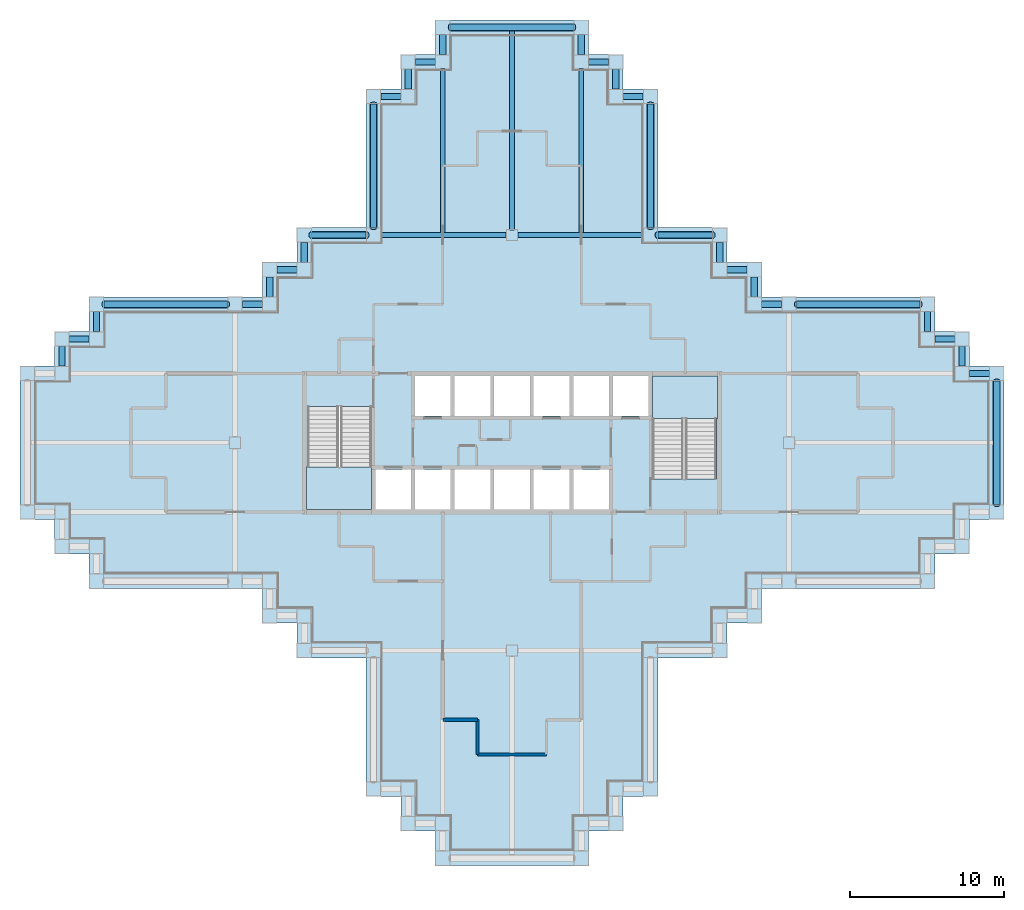
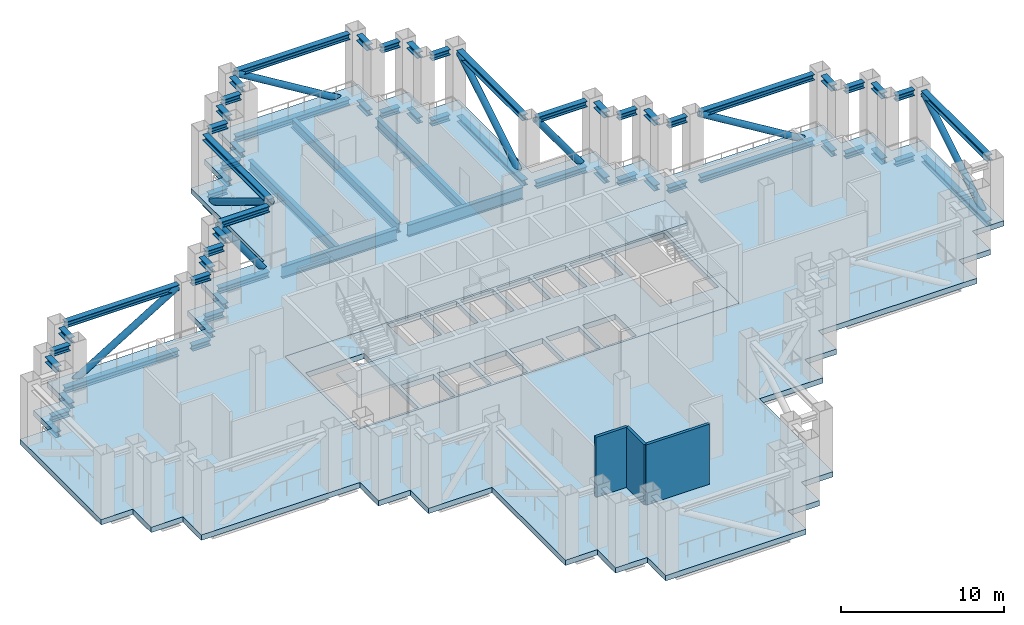
# One storey, part 2 of 10: 67 beams, 8 members, 4 slabs, 3 walls, 2 elements without a shape of their own.
"""IFC4 building model written with IfcOpenShell, lengths in metres."""

from ifc_helpers import new_model, si_unit, direction, frame, frame_2d, origin, origin_2d, place, context, subcontext, project, spatial, polyline, rectangle, hollow_circle, i_section, outline, extrude, material, layer, layer_set, material_profile, profile_set, type_object, element, aggregate, save


model = new_model("IFC4")

# Units and contexts
model_context = context("Model", 3, precision=1e-05, world=origin(), true_north=direction((0.0, 1.0)))
body_context = subcontext(model_context, "Body", "Model", "MODEL_VIEW")
ifc_project = project(units=[si_unit("LENGTHUNIT", "METRE"), si_unit("AREAUNIT", "SQUARE_METRE"), si_unit("VOLUMEUNIT", "CUBIC_METRE"), si_unit("PLANEANGLEUNIT", "RADIAN"), si_unit("MASSUNIT", "GRAM", prefix="KILO")], contexts=[model_context])

# Site, building, storey
site_placement = place(None, origin())
site = spatial("IfcSite", under=ifc_project, at=site_placement, CompositionType="ELEMENT")
building_placement = place(site_placement, origin())
building = spatial("IfcBuilding", under=site, at=building_placement, Name="Caravel Reach Hotel and Residences", CompositionType="ELEMENT")
storey_placement = place(building_placement, frame((0.0, 0.0, 96.0)))
storey = spatial("IfcBuildingStorey", under=building, at=storey_placement, Name="L23", CompositionType="ELEMENT", Elevation=96.0)

# Beams
ifc_material_1 = material(Name="Structural steel Q355B", Category="steel")
ifc_material_profile_1 = material_profile(ifc_material_1, i_section(OverallWidth=0.300048828125, OverallDepth=0.699951171875, WebThickness=0.012939453125, FlangeThickness=0.02392578125, FilletRadius=0.01806640625, at=origin_2d()), Name="HN 700x300x13x24")
ifc_profile_set_1 = profile_set([ifc_material_profile_1], Name="Structural steel Q355B")
beam_type_1 = type_object("IfcBeamType", Name="Beam HN 700x300x13x24", PredefinedType="BEAM", material=ifc_profile_set_1)
beam_1_placement = place(storey_placement, frame((27.0, 40.60009765625, -0.75), z_axis=(0.0, 1.0, 0.0), x_axis=(-1.0, 0.0, 0.0)))
element("IfcBeam", 1, at=beam_1_placement, inside=storey, type_object=beam_type_1, Name="B2 HN 700x300x13x24", PredefinedType="BEAM", context=body_context, shape_type="SweptSolid", body=[
    extrude(i_section(OverallWidth=0.300048828125, OverallDepth=0.699951171875, WebThickness=0.012939453125, FlangeThickness=0.02392578125, FilletRadius=0.01806640625, at=origin_2d()), origin(), (0.0, 0.0, 1.0), 10.724853515625),
])
beam_2_placement = place(storey_placement, frame((31.5, 40.824951171875, -0.75), z_axis=(0.0, 1.0, 0.0), x_axis=(-1.0, 0.0, 0.0)))
element("IfcBeam", 2, at=beam_2_placement, inside=storey, type_object=beam_type_1, Name="B2 HN 700x300x13x24", PredefinedType="BEAM", context=body_context, shape_type="SweptSolid", body=[
    extrude(i_section(OverallWidth=0.300048828125, OverallDepth=0.699951171875, WebThickness=0.012939453125, FlangeThickness=0.02392578125, FilletRadius=0.01806640625, at=origin_2d()), origin(), (0.0, 0.0, 1.0), 13.074951171875),
])
beam_3_placement = place(storey_placement, frame((36.0, 40.60009765625, -0.75), z_axis=(0.0, 1.0, 0.0), x_axis=(-1.0, 0.0, 0.0)))
element("IfcBeam", 3, at=beam_3_placement, inside=storey, type_object=beam_type_1, Name="B2 HN 700x300x13x24", PredefinedType="BEAM", context=body_context, shape_type="SweptSolid", body=[
    extrude(i_section(OverallWidth=0.300048828125, OverallDepth=0.699951171875, WebThickness=0.012939453125, FlangeThickness=0.02392578125, FilletRadius=0.01806640625, at=origin_2d()), origin(), (0.0, 0.0, 1.0), 10.724853515625),
])
ifc_material_2 = material(Name="Structural steel Q355B", Category="steel")
ifc_material_profile_2 = material_profile(ifc_material_2, i_section(OverallWidth=0.300048828125, OverallDepth=0.89990234375, WebThickness=0.01611328125, FlangeThickness=0.028076171875, FilletRadius=0.01806640625, at=origin_2d()), Name="HN 900x300x16x28")
ifc_profile_set_2 = profile_set([ifc_material_profile_2], Name="Structural steel Q355B")
beam_type_2 = type_object("IfcBeamType", Name="Beam HN 900x300x16x28", PredefinedType="BEAM", material=ifc_profile_set_2)
for number, where, z_axis, x_axis, name in (
    (4, (22.97509765625, 40.5, -0.85009765625), (1.0, 0.0, 0.0), (0.0, 1.0, 0.0), "B3 HN 900x300x16x28"),
    (5, (31.875, 40.5, -0.85009765625), (1.0, 0.0, 0.0), (0.0, 1.0, 0.0), "B3 HN 900x300x16x28"),
):
    element("IfcBeam", number, at=place(storey_placement, frame(where, z_axis=z_axis, x_axis=x_axis)), inside=storey, type_object=beam_type_2, Name=name, PredefinedType="BEAM", context=body_context, shape_type="SweptSolid", body=[
        extrude(i_section(OverallWidth=0.300048828125, OverallDepth=0.89990234375, WebThickness=0.01611328125, FlangeThickness=0.028076171875, FilletRadius=0.01806640625, at=origin_2d()), origin(), (0.0, 0.0, 1.0), 8.14990234375),
    ])
ifc_material_3 = material(Name="Structural steel Q355B", Category="steel")
ifc_material_profile_3 = material_profile(ifc_material_3, i_section(OverallWidth=0.406982421875, OverallDepth=0.427978515625, WebThickness=0.02001953125, FlangeThickness=0.034912109375, FilletRadius=0.02197265625, at=origin_2d()), Name="HW 428x407x20x35")
ifc_profile_set_3 = profile_set([ifc_material_profile_3], Name="Structural steel Q355B")
beam_type_3 = type_object("IfcBeamType", Name="Beam HW 428x407x20x35", PredefinedType="BEAM", material=ifc_profile_set_3)
for number, where, z_axis, x_axis, name in (
    (6, (63.0, 22.97509765625, -0.614013671875), (0.0, 1.0, 0.0), (-1.0, 0.0, 0.0), "Belt truss BT-L23 bottom chord"),
    (7, (63.0, 22.97509765625, 4.285888671875), (0.0, 1.0, 0.0), (-1.0, 0.0, 0.0), "Belt truss BT-L23 top chord"),
):
    element("IfcBeam", number, at=place(storey_placement, frame(where, z_axis=z_axis, x_axis=x_axis)), inside=storey, type_object=beam_type_3, Name=name, PredefinedType="BEAM", context=body_context, shape_type="SweptSolid", body=[
        extrude(i_section(OverallWidth=0.406982421875, OverallDepth=0.427978515625, WebThickness=0.02001953125, FlangeThickness=0.034912109375, FilletRadius=0.02197265625, at=origin_2d()), origin(), (0.0, 0.0, 1.0), 8.0498046875),
    ])
for number, where, z_axis, x_axis, name in (
    (8, (62.52490234375, 31.5, -0.614013671875), (-1.0, 0.0, 0.0), (0.0, -1.0, 0.0), "Belt truss BT-L23 bottom chord"),
    (9, (62.52490234375, 31.5, 4.285888671875), (-1.0, 0.0, 0.0), (0.0, -1.0, 0.0), "Belt truss BT-L23 top chord"),
    (10, (60.75, 31.97509765625, -0.614013671875), (0.0, 1.0, 0.0), (-1.0, 0.0, 0.0), "Belt truss BT-L23 bottom chord"),
    (11, (60.75, 31.97509765625, 4.285888671875), (0.0, 1.0, 0.0), (-1.0, 0.0, 0.0), "Belt truss BT-L23 top chord"),
    (12, (60.27490234375, 33.75, -0.614013671875), (-1.0, 0.0, 0.0), (0.0, -1.0, 0.0), "Belt truss BT-L23 bottom chord"),
    (13, (60.27490234375, 33.75, 4.285888671875), (-1.0, 0.0, 0.0), (0.0, -1.0, 0.0), "Belt truss BT-L23 top chord"),
    (14, (58.5, 34.22509765625, -0.614013671875), (0.0, 1.0, 0.0), (-1.0, 0.0, 0.0), "Belt truss BT-L23 bottom chord"),
    (15, (58.5, 34.22509765625, 4.285888671875), (0.0, 1.0, 0.0), (-1.0, 0.0, 0.0), "Belt truss BT-L23 top chord"),
):
    element("IfcBeam", number, at=place(storey_placement, frame(where, z_axis=z_axis, x_axis=x_axis)), inside=storey, type_object=beam_type_3, Name=name, PredefinedType="BEAM", context=body_context, shape_type="SweptSolid", body=[
        extrude(i_section(OverallWidth=0.406982421875, OverallDepth=0.427978515625, WebThickness=0.02001953125, FlangeThickness=0.034912109375, FilletRadius=0.02197265625, at=origin_2d()), origin(), (0.0, 0.0, 1.0), 1.2998046875),
    ])
for number, where, z_axis, x_axis, name in (
    (16, (58.02490234375, 36.0, -0.614013671875), (-1.0, 0.0, 0.0), (0.0, -1.0, 0.0), "Belt truss BT-L23 bottom chord"),
    (17, (58.02490234375, 36.0, 4.285888671875), (-1.0, 0.0, 0.0), (0.0, -1.0, 0.0), "Belt truss BT-L23 top chord"),
):
    element("IfcBeam", number, at=place(storey_placement, frame(where, z_axis=z_axis, x_axis=x_axis)), inside=storey, type_object=beam_type_3, Name=name, PredefinedType="BEAM", context=body_context, shape_type="SweptSolid", body=[
        extrude(i_section(OverallWidth=0.406982421875, OverallDepth=0.427978515625, WebThickness=0.02001953125, FlangeThickness=0.034912109375, FilletRadius=0.02197265625, at=origin_2d()), origin(), (0.0, 0.0, 1.0), 8.0498046875),
    ])
for number, where, z_axis, x_axis, name in (
    (18, (49.02490234375, 36.0, -0.614013671875), (-1.0, 0.0, 0.0), (0.0, -1.0, 0.0), "Belt truss BT-L23 bottom chord"),
    (19, (49.02490234375, 36.0, 4.285888671875), (-1.0, 0.0, 0.0), (0.0, -1.0, 0.0), "Belt truss BT-L23 top chord"),
    (20, (47.25, 36.47509765625, -0.614013671875), (0.0, 1.0, 0.0), (-1.0, 0.0, 0.0), "Belt truss BT-L23 bottom chord"),
    (21, (47.25, 36.47509765625, 4.285888671875), (0.0, 1.0, 0.0), (-1.0, 0.0, 0.0), "Belt truss BT-L23 top chord"),
    (22, (46.77490234375, 38.25, -0.614013671875), (-1.0, 0.0, 0.0), (0.0, -1.0, 0.0), "Belt truss BT-L23 bottom chord"),
    (23, (46.77490234375, 38.25, 4.285888671875), (-1.0, 0.0, 0.0), (0.0, -1.0, 0.0), "Belt truss BT-L23 top chord"),
    (24, (45.0, 38.72509765625, -0.614013671875), (0.0, 1.0, 0.0), (-1.0, 0.0, 0.0), "Belt truss BT-L23 bottom chord"),
    (25, (45.0, 38.72509765625, 4.285888671875), (0.0, 1.0, 0.0), (-1.0, 0.0, 0.0), "Belt truss BT-L23 top chord"),
):
    element("IfcBeam", number, at=place(storey_placement, frame(where, z_axis=z_axis, x_axis=x_axis)), inside=storey, type_object=beam_type_3, Name=name, PredefinedType="BEAM", context=body_context, shape_type="SweptSolid", body=[
        extrude(i_section(OverallWidth=0.406982421875, OverallDepth=0.427978515625, WebThickness=0.02001953125, FlangeThickness=0.034912109375, FilletRadius=0.02197265625, at=origin_2d()), origin(), (0.0, 0.0, 1.0), 1.2998046875),
    ])
for number, where, z_axis, x_axis, name in (
    (26, (44.52490234375, 40.5, -0.614013671875), (-1.0, 0.0, 0.0), (0.0, -1.0, 0.0), "Belt truss BT-L23 bottom chord"),
    (27, (44.52490234375, 40.5, 4.285888671875), (-1.0, 0.0, 0.0), (0.0, -1.0, 0.0), "Belt truss BT-L23 top chord"),
):
    element("IfcBeam", number, at=place(storey_placement, frame(where, z_axis=z_axis, x_axis=x_axis)), inside=storey, type_object=beam_type_3, Name=name, PredefinedType="BEAM", context=body_context, shape_type="SweptSolid", body=[
        extrude(i_section(OverallWidth=0.406982421875, OverallDepth=0.427978515625, WebThickness=0.02001953125, FlangeThickness=0.034912109375, FilletRadius=0.02197265625, at=origin_2d()), origin(), (0.0, 0.0, 1.0), 3.5498046875),
    ])
for number, where, z_axis, x_axis, name in (
    (28, (40.5, 40.97509765625, -0.614013671875), (0.0, 1.0, 0.0), (-1.0, 0.0, 0.0), "Belt truss BT-L23 bottom chord"),
    (29, (40.5, 40.97509765625, 4.285888671875), (0.0, 1.0, 0.0), (-1.0, 0.0, 0.0), "Belt truss BT-L23 top chord"),
):
    element("IfcBeam", number, at=place(storey_placement, frame(where, z_axis=z_axis, x_axis=x_axis)), inside=storey, type_object=beam_type_3, Name=name, PredefinedType="BEAM", context=body_context, shape_type="SweptSolid", body=[
        extrude(i_section(OverallWidth=0.406982421875, OverallDepth=0.427978515625, WebThickness=0.02001953125, FlangeThickness=0.034912109375, FilletRadius=0.02197265625, at=origin_2d()), origin(), (0.0, 0.0, 1.0), 8.0498046875),
    ])
for number, where, z_axis, x_axis, name in (
    (30, (40.02490234375, 49.5, -0.614013671875), (-1.0, 0.0, 0.0), (0.0, -1.0, 0.0), "Belt truss BT-L23 bottom chord"),
    (31, (40.02490234375, 49.5, 4.285888671875), (-1.0, 0.0, 0.0), (0.0, -1.0, 0.0), "Belt truss BT-L23 top chord"),
    (32, (38.25, 49.97509765625, -0.614013671875), (0.0, 1.0, 0.0), (-1.0, 0.0, 0.0), "Belt truss BT-L23 bottom chord"),
    (33, (38.25, 49.97509765625, 4.285888671875), (0.0, 1.0, 0.0), (-1.0, 0.0, 0.0), "Belt truss BT-L23 top chord"),
    (34, (37.77490234375, 51.75, -0.614013671875), (-1.0, 0.0, 0.0), (0.0, -1.0, 0.0), "Belt truss BT-L23 bottom chord"),
    (35, (37.77490234375, 51.75, 4.285888671875), (-1.0, 0.0, 0.0), (0.0, -1.0, 0.0), "Belt truss BT-L23 top chord"),
    (36, (36.0, 52.22509765625, -0.614013671875), (0.0, 1.0, 0.0), (-1.0, 0.0, 0.0), "Belt truss BT-L23 bottom chord"),
    (37, (36.0, 52.22509765625, 4.285888671875), (0.0, 1.0, 0.0), (-1.0, 0.0, 0.0), "Belt truss BT-L23 top chord"),
):
    element("IfcBeam", number, at=place(storey_placement, frame(where, z_axis=z_axis, x_axis=x_axis)), inside=storey, type_object=beam_type_3, Name=name, PredefinedType="BEAM", context=body_context, shape_type="SweptSolid", body=[
        extrude(i_section(OverallWidth=0.406982421875, OverallDepth=0.427978515625, WebThickness=0.02001953125, FlangeThickness=0.034912109375, FilletRadius=0.02197265625, at=origin_2d()), origin(), (0.0, 0.0, 1.0), 1.2998046875),
    ])
for number, where, z_axis, x_axis, name in (
    (38, (35.52490234375, 54.0, -0.614013671875), (-1.0, 0.0, 0.0), (0.0, -1.0, 0.0), "Belt truss BT-L23 bottom chord"),
    (39, (35.52490234375, 54.0, 4.285888671875), (-1.0, 0.0, 0.0), (0.0, -1.0, 0.0), "Belt truss BT-L23 top chord"),
):
    element("IfcBeam", number, at=place(storey_placement, frame(where, z_axis=z_axis, x_axis=x_axis)), inside=storey, type_object=beam_type_3, Name=name, PredefinedType="BEAM", context=body_context, shape_type="SweptSolid", body=[
        extrude(i_section(OverallWidth=0.406982421875, OverallDepth=0.427978515625, WebThickness=0.02001953125, FlangeThickness=0.034912109375, FilletRadius=0.02197265625, at=origin_2d()), origin(), (0.0, 0.0, 1.0), 8.0498046875),
    ])
for number, where, z_axis, x_axis, name in (
    (40, (27.0, 53.52490234375, -0.614013671875), (0.0, -1.0, 0.0), (1.0, 0.0, 0.0), "Belt truss BT-L23 bottom chord"),
    (41, (27.0, 53.52490234375, 4.285888671875), (0.0, -1.0, 0.0), (1.0, 0.0, 0.0), "Belt truss BT-L23 top chord"),
    (42, (26.52490234375, 51.75, -0.614013671875), (-1.0, 0.0, 0.0), (0.0, -1.0, 0.0), "Belt truss BT-L23 bottom chord"),
    (43, (26.52490234375, 51.75, 4.285888671875), (-1.0, 0.0, 0.0), (0.0, -1.0, 0.0), "Belt truss BT-L23 top chord"),
    (44, (24.75, 51.27490234375, -0.614013671875), (0.0, -1.0, 0.0), (1.0, 0.0, 0.0), "Belt truss BT-L23 bottom chord"),
    (45, (24.75, 51.27490234375, 4.285888671875), (0.0, -1.0, 0.0), (1.0, 0.0, 0.0), "Belt truss BT-L23 top chord"),
    (46, (24.27490234375, 49.5, -0.614013671875), (-1.0, 0.0, 0.0), (0.0, -1.0, 0.0), "Belt truss BT-L23 bottom chord"),
    (47, (24.27490234375, 49.5, 4.285888671875), (-1.0, 0.0, 0.0), (0.0, -1.0, 0.0), "Belt truss BT-L23 top chord"),
):
    element("IfcBeam", number, at=place(storey_placement, frame(where, z_axis=z_axis, x_axis=x_axis)), inside=storey, type_object=beam_type_3, Name=name, PredefinedType="BEAM", context=body_context, shape_type="SweptSolid", body=[
        extrude(i_section(OverallWidth=0.406982421875, OverallDepth=0.427978515625, WebThickness=0.02001953125, FlangeThickness=0.034912109375, FilletRadius=0.02197265625, at=origin_2d()), origin(), (0.0, 0.0, 1.0), 1.2998046875),
    ])
for number, where, z_axis, x_axis, name in (
    (48, (22.5, 49.02490234375, -0.614013671875), (0.0, -1.0, 0.0), (1.0, 0.0, 0.0), "Belt truss BT-L23 bottom chord"),
    (49, (22.5, 49.02490234375, 4.285888671875), (0.0, -1.0, 0.0), (1.0, 0.0, 0.0), "Belt truss BT-L23 top chord"),
):
    element("IfcBeam", number, at=place(storey_placement, frame(where, z_axis=z_axis, x_axis=x_axis)), inside=storey, type_object=beam_type_3, Name=name, PredefinedType="BEAM", context=body_context, shape_type="SweptSolid", body=[
        extrude(i_section(OverallWidth=0.406982421875, OverallDepth=0.427978515625, WebThickness=0.02001953125, FlangeThickness=0.034912109375, FilletRadius=0.02197265625, at=origin_2d()), origin(), (0.0, 0.0, 1.0), 8.0498046875),
    ])
for number, where, z_axis, x_axis, name in (
    (50, (22.02490234375, 40.5, -0.614013671875), (-1.0, 0.0, 0.0), (0.0, -1.0, 0.0), "Belt truss BT-L23 bottom chord"),
    (51, (22.02490234375, 40.5, 4.285888671875), (-1.0, 0.0, 0.0), (0.0, -1.0, 0.0), "Belt truss BT-L23 top chord"),
):
    element("IfcBeam", number, at=place(storey_placement, frame(where, z_axis=z_axis, x_axis=x_axis)), inside=storey, type_object=beam_type_3, Name=name, PredefinedType="BEAM", context=body_context, shape_type="SweptSolid", body=[
        extrude(i_section(OverallWidth=0.406982421875, OverallDepth=0.427978515625, WebThickness=0.02001953125, FlangeThickness=0.034912109375, FilletRadius=0.02197265625, at=origin_2d()), origin(), (0.0, 0.0, 1.0), 3.5498046875),
    ])
for number, where, z_axis, x_axis, name in (
    (52, (18.0, 40.02490234375, -0.614013671875), (0.0, -1.0, 0.0), (1.0, 0.0, 0.0), "Belt truss BT-L23 bottom chord"),
    (53, (18.0, 40.02490234375, 4.285888671875), (0.0, -1.0, 0.0), (1.0, 0.0, 0.0), "Belt truss BT-L23 top chord"),
    (54, (17.52490234375, 38.25, -0.614013671875), (-1.0, 0.0, 0.0), (0.0, -1.0, 0.0), "Belt truss BT-L23 bottom chord"),
    (55, (17.52490234375, 38.25, 4.285888671875), (-1.0, 0.0, 0.0), (0.0, -1.0, 0.0), "Belt truss BT-L23 top chord"),
    (56, (15.75, 37.77490234375, -0.614013671875), (0.0, -1.0, 0.0), (1.0, 0.0, 0.0), "Belt truss BT-L23 bottom chord"),
    (57, (15.75, 37.77490234375, 4.285888671875), (0.0, -1.0, 0.0), (1.0, 0.0, 0.0), "Belt truss BT-L23 top chord"),
    (58, (15.27490234375, 36.0, -0.614013671875), (-1.0, 0.0, 0.0), (0.0, -1.0, 0.0), "Belt truss BT-L23 bottom chord"),
    (59, (15.27490234375, 36.0, 4.285888671875), (-1.0, 0.0, 0.0), (0.0, -1.0, 0.0), "Belt truss BT-L23 top chord"),
):
    element("IfcBeam", number, at=place(storey_placement, frame(where, z_axis=z_axis, x_axis=x_axis)), inside=storey, type_object=beam_type_3, Name=name, PredefinedType="BEAM", context=body_context, shape_type="SweptSolid", body=[
        extrude(i_section(OverallWidth=0.406982421875, OverallDepth=0.427978515625, WebThickness=0.02001953125, FlangeThickness=0.034912109375, FilletRadius=0.02197265625, at=origin_2d()), origin(), (0.0, 0.0, 1.0), 1.2998046875),
    ])
for number, where, z_axis, x_axis, name in (
    (60, (13.02490234375, 36.0, -0.614013671875), (-1.0, 0.0, 0.0), (0.0, -1.0, 0.0), "Belt truss BT-L23 bottom chord"),
    (61, (13.02490234375, 36.0, 4.285888671875), (-1.0, 0.0, 0.0), (0.0, -1.0, 0.0), "Belt truss BT-L23 top chord"),
):
    element("IfcBeam", number, at=place(storey_placement, frame(where, z_axis=z_axis, x_axis=x_axis)), inside=storey, type_object=beam_type_3, Name=name, PredefinedType="BEAM", context=body_context, shape_type="SweptSolid", body=[
        extrude(i_section(OverallWidth=0.406982421875, OverallDepth=0.427978515625, WebThickness=0.02001953125, FlangeThickness=0.034912109375, FilletRadius=0.02197265625, at=origin_2d()), origin(), (0.0, 0.0, 1.0), 8.0498046875),
    ])
for number, where, z_axis, x_axis, name in (
    (62, (4.5, 35.52490234375, -0.614013671875), (0.0, -1.0, 0.0), (1.0, 0.0, 0.0), "Belt truss BT-L23 bottom chord"),
    (63, (4.5, 35.52490234375, 4.285888671875), (0.0, -1.0, 0.0), (1.0, 0.0, 0.0), "Belt truss BT-L23 top chord"),
    (64, (4.02490234375, 33.75, -0.614013671875), (-1.0, 0.0, 0.0), (0.0, -1.0, 0.0), "Belt truss BT-L23 bottom chord"),
    (65, (4.02490234375, 33.75, 4.285888671875), (-1.0, 0.0, 0.0), (0.0, -1.0, 0.0), "Belt truss BT-L23 top chord"),
    (66, (2.25, 33.27490234375, -0.614013671875), (0.0, -1.0, 0.0), (1.0, 0.0, 0.0), "Belt truss BT-L23 bottom chord"),
    (67, (2.25, 33.27490234375, 4.285888671875), (0.0, -1.0, 0.0), (1.0, 0.0, 0.0), "Belt truss BT-L23 top chord"),
):
    element("IfcBeam", number, at=place(storey_placement, frame(where, z_axis=z_axis, x_axis=x_axis)), inside=storey, type_object=beam_type_3, Name=name, PredefinedType="BEAM", context=body_context, shape_type="SweptSolid", body=[
        extrude(i_section(OverallWidth=0.406982421875, OverallDepth=0.427978515625, WebThickness=0.02001953125, FlangeThickness=0.034912109375, FilletRadius=0.02197265625, at=origin_2d()), origin(), (0.0, 0.0, 1.0), 1.2998046875),
    ])

# Members
ifc_material_4 = material(Name="Structural steel Q390B", Category="steel")
ifc_material_profile_4 = material_profile(ifc_material_4, hollow_circle(Radius=0.228515625, WallThickness=0.02001953125, at=origin_2d()), Name="CHS 457x20")
ifc_profile_set_4 = profile_set([ifc_material_profile_4], Name="Structural steel Q390B")
member_type = type_object("IfcMemberType", Name="Brace CHS 457x20", PredefinedType="BRACE", material=ifc_profile_set_4)
for number, where, z_axis, x_axis, name in (
    (68, (63.0, 22.97509765625, -0.614013671875), (0.0, 0.854197555076, 0.519948590634), (-1.0, 0.0, 0.0), "Belt truss BT-L23 diagonal"),
    (69, (58.02490234375, 36.0, -0.614013671875), (-0.854197555076, 0.0, 0.519948590634), (0.0, -1.0, 0.0), "Belt truss BT-L23 diagonal"),
):
    element("IfcMember", number, at=place(storey_placement, frame(where, z_axis=z_axis, x_axis=x_axis)), inside=storey, type_object=member_type, Name=name, PredefinedType="BRACE", context=body_context, shape_type="SweptSolid", body=[
        extrude(hollow_circle(Radius=0.228515625, WallThickness=0.02001953125, at=origin_2d()), origin(), (0.0, 0.0, 1.0), 9.423828125),
    ])
member_1_placement = place(storey_placement, frame((44.52490234375, 40.5, -0.614013671875), z_axis=(-0.586683220166, 0.0, 0.809816521921), x_axis=(0.0, -1.0, 0.0)))
element("IfcMember", 70, at=member_1_placement, inside=storey, type_object=member_type, Name="Belt truss BT-L23 diagonal", PredefinedType="BRACE", context=body_context, shape_type="SweptSolid", body=[
    extrude(hollow_circle(Radius=0.228515625, WallThickness=0.02001953125, at=origin_2d()), origin(), (0.0, 0.0, 1.0), 6.050537109375),
])
for number, where, z_axis, x_axis, name in (
    (71, (40.5, 40.97509765625, -0.614013671875), (0.0, 0.854197555076, 0.519948590634), (-1.0, 0.0, 0.0), "Belt truss BT-L23 diagonal"),
    (72, (35.52490234375, 54.0, -0.614013671875), (-0.854197555076, 0.0, 0.519948590634), (0.0, -1.0, 0.0), "Belt truss BT-L23 diagonal"),
    (73, (22.5, 49.02490234375, -0.614013671875), (0.0, -0.854197555076, 0.519948590634), (1.0, 0.0, 0.0), "Belt truss BT-L23 diagonal"),
):
    element("IfcMember", number, at=place(storey_placement, frame(where, z_axis=z_axis, x_axis=x_axis)), inside=storey, type_object=member_type, Name=name, PredefinedType="BRACE", context=body_context, shape_type="SweptSolid", body=[
        extrude(hollow_circle(Radius=0.228515625, WallThickness=0.02001953125, at=origin_2d()), origin(), (0.0, 0.0, 1.0), 9.423828125),
    ])
member_2_placement = place(storey_placement, frame((22.02490234375, 40.5, -0.614013671875), z_axis=(-0.586683220166, 0.0, 0.809816521921), x_axis=(0.0, -1.0, 0.0)))
element("IfcMember", 74, at=member_2_placement, inside=storey, type_object=member_type, Name="Belt truss BT-L23 diagonal", PredefinedType="BRACE", context=body_context, shape_type="SweptSolid", body=[
    extrude(hollow_circle(Radius=0.228515625, WallThickness=0.02001953125, at=origin_2d()), origin(), (0.0, 0.0, 1.0), 6.050537109375),
])
member_3_placement = place(storey_placement, frame((4.97509765625, 36.0, -0.614013671875), z_axis=(0.854197555076, 0.0, 0.519948590634), x_axis=(0.0, 1.0, 0.0)))
element("IfcMember", 75, at=member_3_placement, inside=storey, type_object=member_type, Name="Belt truss BT-L23 diagonal", PredefinedType="BRACE", context=body_context, shape_type="SweptSolid", body=[
    extrude(hollow_circle(Radius=0.228515625, WallThickness=0.02001953125, at=origin_2d()), origin(), (0.0, 0.0, 1.0), 9.423828125),
])

# Slab
ifc_material_5 = material(Name="Concrete C40", Category="concrete")
ifc_layer_1 = layer(ifc_material_5, 0.39990234375)
ifc_layer_set_1 = layer_set([ifc_layer_1], Name="Core floor slab 400 mm")
slab_type_1 = type_object("IfcSlabType", Name="Core floor slab 400 mm", PredefinedType="FLOOR", material=ifc_layer_set_1)
slab_1_placement = place(storey_placement, frame((0.0, 0.0, -0.39990234375)))
element("IfcSlab", 76, at=slab_1_placement, inside=storey, type_object=slab_type_1, Name="L23 core floor", PredefinedType="FLOOR", context=body_context, shape_type="SweptSolid", body=[
    extrude(outline(polyline([(18.0, 31.5), (45.0, 31.5), (45.0, 22.5), (18.0, 22.5), (18.0, 31.5)]), holes=[polyline([(22.625, 25.27490234375), (22.625, 22.64990234375), (24.9462890625, 22.64990234375), (24.9462890625, 25.27490234375), (22.625, 25.27490234375)]), polyline([(27.517822265625, 25.27490234375), (25.1962890625, 25.27490234375), (25.1962890625, 22.64990234375), (27.517822265625, 22.64990234375), (27.517822265625, 25.27490234375)]), polyline([(30.08935546875, 25.27490234375), (27.767822265625, 25.27490234375), (27.767822265625, 22.64990234375), (30.08935546875, 22.64990234375), (30.08935546875, 25.27490234375)]), polyline([(32.66064453125, 25.27490234375), (30.33935546875, 25.27490234375), (30.33935546875, 22.64990234375), (32.66064453125, 22.64990234375), (32.66064453125, 25.27490234375)]), polyline([(18.22509765625, 22.64990234375), (22.375, 22.64990234375), (22.375, 29.35009765625), (18.22509765625, 29.35009765625), (18.22509765625, 22.64990234375)]), polyline([(27.517822265625, 31.35009765625), (25.1962890625, 31.35009765625), (25.1962890625, 28.72509765625), (27.517822265625, 28.72509765625), (27.517822265625, 31.35009765625)]), polyline([(30.08935546875, 31.35009765625), (27.767822265625, 31.35009765625), (27.767822265625, 28.72509765625), (30.08935546875, 28.72509765625), (30.08935546875, 31.35009765625)]), polyline([(32.91064453125, 25.27490234375), (32.91064453125, 22.64990234375), (35.232177734375, 22.64990234375), (35.232177734375, 25.27490234375), (32.91064453125, 25.27490234375)]), polyline([(37.8037109375, 25.27490234375), (35.482177734375, 25.27490234375), (35.482177734375, 22.64990234375), (37.8037109375, 22.64990234375), (37.8037109375, 25.27490234375)]), polyline([(44.77490234375, 31.35009765625), (40.625, 31.35009765625), (40.625, 24.64990234375), (44.77490234375, 24.64990234375), (44.77490234375, 31.35009765625)]), polyline([(32.66064453125, 31.35009765625), (30.33935546875, 31.35009765625), (30.33935546875, 28.72509765625), (32.66064453125, 28.72509765625), (32.66064453125, 31.35009765625)]), polyline([(35.232177734375, 31.35009765625), (32.91064453125, 31.35009765625), (32.91064453125, 28.72509765625), (35.232177734375, 28.72509765625), (35.232177734375, 31.35009765625)]), polyline([(37.8037109375, 31.35009765625), (35.482177734375, 31.35009765625), (35.482177734375, 28.72509765625), (37.8037109375, 28.72509765625), (37.8037109375, 31.35009765625)]), polyline([(40.375, 31.35009765625), (38.0537109375, 31.35009765625), (38.0537109375, 28.72509765625), (40.375, 28.72509765625), (40.375, 31.35009765625)])]), origin(), (0.0, 0.0, 1.0), 0.39990234375),
])

# Stair, slab
ifc_material_6 = material(Name="Concrete C40", Category="concrete")
stair_type = type_object("IfcStairType", Name="Core stair", PredefinedType="HALF_TURN_STAIR", material=ifc_material_6)
stair_1_placement = place(storey_placement, origin())
stair_1 = element("IfcStair", 77, at=stair_1_placement, inside=storey, type_object=stair_type, Name="L23 Exit stair A", PredefinedType="HALF_TURN_STAIR")
ifc_material_7 = material(Name="Concrete C40", Category="concrete")
ifc_layer_2 = layer(ifc_material_7, 0.199951171875)
ifc_layer_set_2 = layer_set([ifc_layer_2], Name="Core stair landing")
slab_type_2 = type_object("IfcSlabType", Name="Core stair landing", PredefinedType="LANDING", material=ifc_layer_set_2)
slab_2_placement = place(storey_placement, frame((0.0, 0.0, 2.199951171875)))
slab_2 = element("IfcSlab", 78, at=slab_2_placement, type_object=slab_type_2, Name="ST-A landing 1", PredefinedType="LANDING", context=body_context, shape_type="SweptSolid", body=[
    extrude(outline(polyline([(18.14990234375, 25.429931640625), (18.14990234375, 22.64990234375), (22.375, 22.64990234375), (22.375, 25.429931640625), (18.14990234375, 25.429931640625)])), origin(), (0.0, 0.0, 1.0), 0.199951171875),
])
aggregate(stair_1, [slab_2])

stair_2_placement = place(storey_placement, origin())
stair_2 = element("IfcStair", 79, at=stair_2_placement, inside=storey, type_object=stair_type, Name="L23 Exit stair B", PredefinedType="HALF_TURN_STAIR")
slab_3_placement = place(storey_placement, frame((0.0, 0.0, 2.199951171875)))
slab_3 = element("IfcSlab", 80, at=slab_3_placement, type_object=slab_type_2, Name="ST-B landing 1", PredefinedType="LANDING", context=body_context, shape_type="SweptSolid", body=[
    extrude(outline(polyline([(44.85009765625, 28.570068359375), (44.85009765625, 31.35009765625), (40.625, 31.35009765625), (40.625, 28.570068359375), (44.85009765625, 28.570068359375)])), origin(), (0.0, 0.0, 1.0), 0.199951171875),
])
aggregate(stair_2, [slab_3])

# Slab
ifc_material_8 = material(Name="Concrete C40 post-tensioned", Category="concrete")
ifc_layer_3 = layer(ifc_material_8, 0.39990234375)
ifc_layer_set_3 = layer_set([ifc_layer_3], Name="Floor slab 400")
slab_type_3 = type_object("IfcSlabType", Name="Floor slab 400", PredefinedType="FLOOR", material=ifc_layer_set_3)
slab_4_placement = place(storey_placement, frame((0.0, 0.0, -0.39990234375)))
element("IfcSlab", 81, at=slab_4_placement, inside=storey, type_object=slab_type_3, Name="S4 slab L23", PredefinedType="FLOOR", context=body_context, shape_type="SweptSolid", body=[
    extrude(outline(polyline([(17.52490234375, 13.02490234375), (17.52490234375, 15.27490234375), (15.27490234375, 15.27490234375), (15.27490234375, 17.52490234375), (4.02490234375, 17.52490234375), (4.02490234375, 19.77490234375), (1.77490234375, 19.77490234375), (1.77490234375, 22.02490234375), (-0.47509765625, 22.02490234375), (-0.47509765625, 31.97509765625), (1.77490234375, 31.97509765625), (1.77490234375, 34.22509765625), (4.02490234375, 34.22509765625), (4.02490234375, 36.47509765625), (15.27490234375, 36.47509765625), (15.27490234375, 38.72509765625), (17.52490234375, 38.72509765625), (17.52490234375, 40.97509765625), (22.02490234375, 40.97509765625), (22.02490234375, 49.97509765625), (24.27490234375, 49.97509765625), (24.27490234375, 52.22509765625), (26.52490234375, 52.22509765625), (26.52490234375, 54.47509765625), (36.47509765625, 54.47509765625), (36.47509765625, 52.22509765625), (38.72509765625, 52.22509765625), (38.72509765625, 49.97509765625), (40.97509765625, 49.97509765625), (40.97509765625, 40.97509765625), (45.47509765625, 40.97509765625), (45.47509765625, 38.72509765625), (47.72509765625, 38.72509765625), (47.72509765625, 36.47509765625), (58.97509765625, 36.47509765625), (58.97509765625, 34.22509765625), (61.22509765625, 34.22509765625), (61.22509765625, 31.97509765625), (63.47509765625, 31.97509765625), (63.47509765625, 22.02490234375), (61.22509765625, 22.02490234375), (61.22509765625, 19.77490234375), (58.97509765625, 19.77490234375), (58.97509765625, 17.52490234375), (47.72509765625, 17.52490234375), (47.72509765625, 15.27490234375), (45.47509765625, 15.27490234375), (45.47509765625, 13.02490234375), (40.97509765625, 13.02490234375), (40.97509765625, 4.02490234375), (38.72509765625, 4.02490234375), (38.72509765625, 1.77490234375), (36.47509765625, 1.77490234375), (36.47509765625, -0.47509765625), (26.52490234375, -0.47509765625), (26.52490234375, 1.77490234375), (24.27490234375, 1.77490234375), (24.27490234375, 4.02490234375), (22.02490234375, 4.02490234375), (22.02490234375, 13.02490234375), (17.52490234375, 13.02490234375)]), holes=[polyline([(45.0, 31.5), (18.0, 31.5), (18.0, 22.5), (45.0, 22.5), (45.0, 31.5)])]), origin(), (0.0, 0.0, 1.0), 0.39990234375),
])

# Walls
ifc_material_9 = material(Name="Autoclaved aerated block wall")
ifc_layer_4 = layer(ifc_material_9, 0.199951171875)
ifc_layer_set_4 = layer_set([ifc_layer_4], Name="Compartment wall 200 mm EI 120")
wall_type = type_object("IfcWallType", Name="Compartment wall 200 mm EI 120", PredefinedType="PARTITIONING", material=ifc_layer_set_4)
wall_placement = place(storey_placement, frame((29.25, 6.75, 0.0), z_axis=(0.0, 0.0, 1.0), x_axis=(1.0, 0.0, 0.0)))
element("IfcWall", 82, at=wall_placement, inside=storey, type_object=wall_type, Name="L23 wall w032", PredefinedType="PARTITIONING", context=body_context, shape_type="SweptSolid", body=[
    extrude(rectangle(XDim=4.5, YDim=0.199951171875, at=frame_2d((2.25, 0.0))), origin(), (0.0, 0.0, 1.0), 4.5),
])
for number, where, z_axis, x_axis, name in (
    (83, (27.0, 9.0, 0.0), (0.0, 0.0, 1.0), (1.0, 0.0, 0.0), "L23 wall w033"),
    (84, (29.25, 6.75, 0.0), (0.0, 0.0, 1.0), (0.0, 1.0, 0.0), "L23 wall w041"),
):
    element("IfcWall", number, at=place(storey_placement, frame(where, z_axis=z_axis, x_axis=x_axis)), inside=storey, type_object=wall_type, Name=name, PredefinedType="PARTITIONING", context=body_context, shape_type="SweptSolid", body=[
        extrude(rectangle(XDim=2.25, YDim=0.199951171875, at=frame_2d((1.125, 0.0))), origin(), (0.0, 0.0, 1.0), 4.5),
    ])

save(model, "model.ifc")
